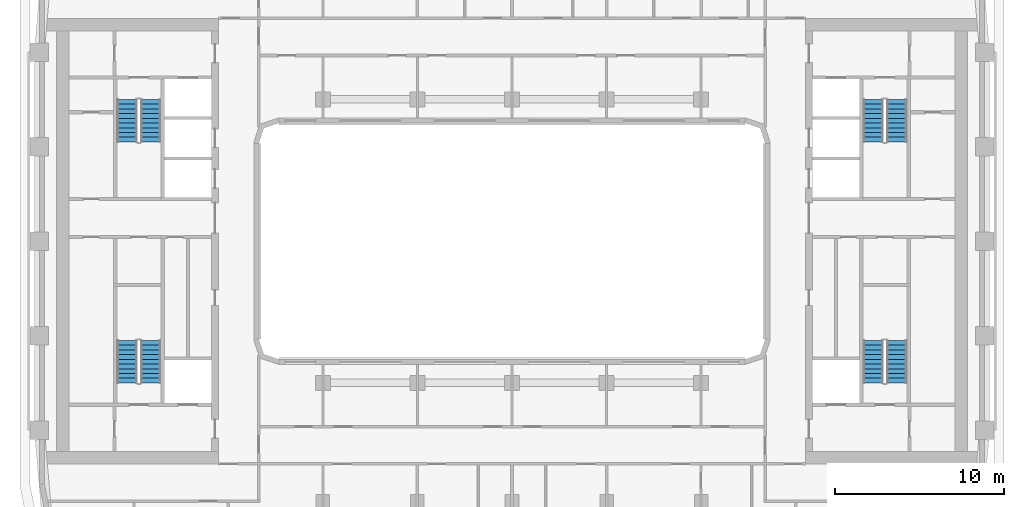
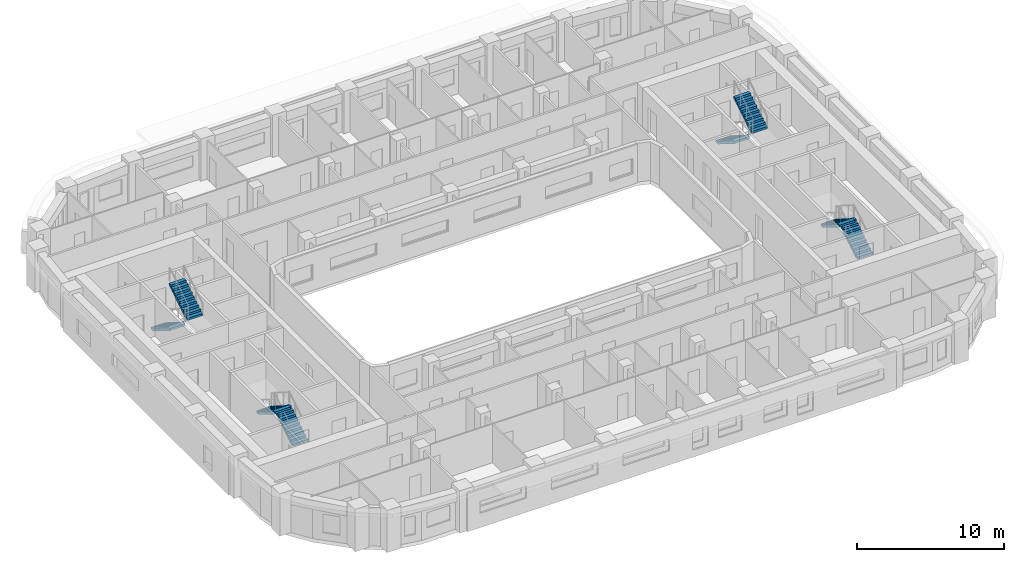
# One storey, part 10 of 22: 8 stair flights, 4 elements without a shape of their own.
"""IFC4 building model written with IfcOpenShell, lengths in metres."""

from ifc_helpers import new_model, si_unit, direction, frame, origin, place, context, subcontext, project, spatial, polyline, outline, extrude, material, type_object, element, aggregate, save


model = new_model("IFC4")

# Units and contexts
model_context = context("Model", 3, precision=1e-05, world=origin(), true_north=direction((0.0, 1.0)))
body_context = subcontext(model_context, "Body", "Model", "MODEL_VIEW")
ifc_project = project(units=[si_unit("LENGTHUNIT", "METRE"), si_unit("AREAUNIT", "SQUARE_METRE"), si_unit("VOLUMEUNIT", "CUBIC_METRE"), si_unit("PLANEANGLEUNIT", "RADIAN"), si_unit("MASSUNIT", "GRAM", prefix="KILO")], contexts=[model_context])

# Site, building, storey
site_placement = place(None, origin())
site = spatial("IfcSite", under=ifc_project, at=site_placement, CompositionType="ELEMENT")
building_placement = place(site_placement, origin())
building = spatial("IfcBuilding", under=site, at=building_placement, Name="Kiln Ring Residences", CompositionType="ELEMENT")
storey_placement = place(building_placement, frame((0.0, 0.0, 143.10009765625)))
storey = spatial("IfcBuildingStorey", under=building, at=storey_placement, Name="L36", CompositionType="ELEMENT", Elevation=143.10009765625)

# Stair, stair flights
ifc_material_1 = material(Name="Concrete C40/50", Category="concrete")
stair_type = type_object("IfcStairType", Name="CORE-STAIR", PredefinedType="HALF_TURN_STAIR", material=ifc_material_1)
placement = place(storey_placement, origin())
stair_1 = element("IfcStair", 1, at=placement, inside=storey, type_object=stair_type, Name="L36 stair W-STN", PredefinedType="HALF_TURN_STAIR")
ifc_material_2 = material(Name="Concrete C40/50", Category="concrete")
stair_flight_type = type_object("IfcStairFlightType", Name="CORE-STAIR-FLIGHT", PredefinedType="STRAIGHT", material=ifc_material_2)
stair_flight_1_placement = place(storey_placement, frame((-22.800048828125, 8.39990234375, 0.0), z_axis=(0.0, 0.0, 1.0), x_axis=(0.0, -1.0, 0.0)))
stair_flight_1 = element("IfcStairFlight", 2, at=stair_flight_1_placement, type_object=stair_flight_type, Name="W-STN flight 1", NumberOfRisers=10, NumberOfTreads=9, PredefinedType="STRAIGHT", RiserHeight=0.175, TreadLength=0.28, context=body_context, shape_type="SweptSolid", body=[
    extrude(outline(polyline([(0.0, 0.0), (0.0, 0.175048828125), (0.280029296875, 0.175048828125), (0.280029296875, 0.35009765625), (0.56005859375, 0.35009765625), (0.56005859375, 0.52490234375), (0.840087890625, 0.52490234375), (0.840087890625, 0.699951171875), (1.1201171875, 0.699951171875), (1.1201171875, 0.875), (1.39990234375, 0.875), (1.39990234375, 1.050048828125), (1.679931640625, 1.050048828125), (1.679931640625, 1.22509765625), (1.9599609375, 1.22509765625), (1.9599609375, 1.39990234375), (2.239990234375, 1.39990234375), (2.239990234375, 1.574951171875), (2.52001953125, 1.574951171875), (2.52001953125, 1.75), (2.52001953125, 1.398193359375), (0.28271484375, 0.0), (0.0, 0.0)])), frame((0.0, 0.60009765625, 0.0), z_axis=(0.0, -1.0, 0.0), x_axis=(1.0, 0.0, 0.0)), (0.0, 0.0, 1.0), 1.199951171875),
])
stair_flight_2_placement = place(storey_placement, frame((-21.39990234375, 5.8798828125, 1.75), z_axis=(0.0, 0.0, 1.0), x_axis=(0.0, 1.0, 0.0)))
stair_flight_2 = element("IfcStairFlight", 3, at=stair_flight_2_placement, type_object=stair_flight_type, Name="W-STN flight 2", NumberOfRisers=10, NumberOfTreads=9, PredefinedType="STRAIGHT", RiserHeight=0.175, TreadLength=0.28, context=body_context, shape_type="SweptSolid", body=[
    extrude(outline(polyline([(0.0, 0.0), (0.0, 0.175048828125), (0.280029296875, 0.175048828125), (0.280029296875, 0.35009765625), (0.56005859375, 0.35009765625), (0.56005859375, 0.52490234375), (0.840087890625, 0.52490234375), (0.840087890625, 0.699951171875), (1.1201171875, 0.699951171875), (1.1201171875, 0.875), (1.39990234375, 0.875), (1.39990234375, 1.050048828125), (1.679931640625, 1.050048828125), (1.679931640625, 1.22509765625), (1.9599609375, 1.22509765625), (1.9599609375, 1.39990234375), (2.239990234375, 1.39990234375), (2.239990234375, 1.574951171875), (2.52001953125, 1.574951171875), (2.52001953125, 1.75), (2.52001953125, 1.398193359375), (0.28271484375, 0.0), (0.0, 0.0)])), frame((0.0, 0.60009765625, 0.0), z_axis=(0.0, -1.0, 0.0), x_axis=(1.0, 0.0, 0.0)), (0.0, 0.0, 1.0), 1.199951171875),
])
aggregate(stair_1, [stair_flight_1, stair_flight_2])

stair_2 = element("IfcStair", 4, at=placement, inside=storey, type_object=stair_type, Name="L36 stair W-STS", PredefinedType="HALF_TURN_STAIR")
stair_flight_3_placement = place(storey_placement, frame((-21.39990234375, -8.39990234375, 0.0), z_axis=(0.0, 0.0, 1.0), x_axis=(0.0, 1.0, 0.0)))
stair_flight_3 = element("IfcStairFlight", 5, at=stair_flight_3_placement, type_object=stair_flight_type, Name="W-STS flight 1", NumberOfRisers=10, NumberOfTreads=9, PredefinedType="STRAIGHT", RiserHeight=0.175, TreadLength=0.28, context=body_context, shape_type="SweptSolid", body=[
    extrude(outline(polyline([(0.0, 0.0), (0.0, 0.175048828125), (0.280029296875, 0.175048828125), (0.280029296875, 0.35009765625), (0.56005859375, 0.35009765625), (0.56005859375, 0.52490234375), (0.840087890625, 0.52490234375), (0.840087890625, 0.699951171875), (1.1201171875, 0.699951171875), (1.1201171875, 0.875), (1.39990234375, 0.875), (1.39990234375, 1.050048828125), (1.679931640625, 1.050048828125), (1.679931640625, 1.22509765625), (1.9599609375, 1.22509765625), (1.9599609375, 1.39990234375), (2.239990234375, 1.39990234375), (2.239990234375, 1.574951171875), (2.52001953125, 1.574951171875), (2.52001953125, 1.75), (2.52001953125, 1.398193359375), (0.28271484375, 0.0), (0.0, 0.0)])), frame((0.0, 0.60009765625, 0.0), z_axis=(0.0, -1.0, 0.0), x_axis=(1.0, 0.0, 0.0)), (0.0, 0.0, 1.0), 1.199951171875),
])
stair_flight_4_placement = place(storey_placement, frame((-22.800048828125, -5.8798828125, 1.75), z_axis=(0.0, 0.0, 1.0), x_axis=(0.0, -1.0, 0.0)))
stair_flight_4 = element("IfcStairFlight", 6, at=stair_flight_4_placement, type_object=stair_flight_type, Name="W-STS flight 2", NumberOfRisers=10, NumberOfTreads=9, PredefinedType="STRAIGHT", RiserHeight=0.175, TreadLength=0.28, context=body_context, shape_type="SweptSolid", body=[
    extrude(outline(polyline([(0.0, 0.0), (0.0, 0.175048828125), (0.280029296875, 0.175048828125), (0.280029296875, 0.35009765625), (0.56005859375, 0.35009765625), (0.56005859375, 0.52490234375), (0.840087890625, 0.52490234375), (0.840087890625, 0.699951171875), (1.1201171875, 0.699951171875), (1.1201171875, 0.875), (1.39990234375, 0.875), (1.39990234375, 1.050048828125), (1.679931640625, 1.050048828125), (1.679931640625, 1.22509765625), (1.9599609375, 1.22509765625), (1.9599609375, 1.39990234375), (2.239990234375, 1.39990234375), (2.239990234375, 1.574951171875), (2.52001953125, 1.574951171875), (2.52001953125, 1.75), (2.52001953125, 1.398193359375), (0.28271484375, 0.0), (0.0, 0.0)])), frame((0.0, 0.60009765625, 0.0), z_axis=(0.0, -1.0, 0.0), x_axis=(1.0, 0.0, 0.0)), (0.0, 0.0, 1.0), 1.199951171875),
])
aggregate(stair_2, [stair_flight_3, stair_flight_4])

stair_3 = element("IfcStair", 7, at=placement, inside=storey, type_object=stair_type, Name="L36 stair E-STN", PredefinedType="HALF_TURN_STAIR")
stair_flight_5_placement = place(storey_placement, frame((21.39990234375, 8.39990234375, 0.0), z_axis=(0.0, 0.0, 1.0), x_axis=(0.0, -1.0, 0.0)))
stair_flight_5 = element("IfcStairFlight", 8, at=stair_flight_5_placement, type_object=stair_flight_type, Name="E-STN flight 1", NumberOfRisers=10, NumberOfTreads=9, PredefinedType="STRAIGHT", RiserHeight=0.175, TreadLength=0.28, context=body_context, shape_type="SweptSolid", body=[
    extrude(outline(polyline([(0.0, 0.0), (0.0, 0.175048828125), (0.280029296875, 0.175048828125), (0.280029296875, 0.35009765625), (0.56005859375, 0.35009765625), (0.56005859375, 0.52490234375), (0.840087890625, 0.52490234375), (0.840087890625, 0.699951171875), (1.1201171875, 0.699951171875), (1.1201171875, 0.875), (1.39990234375, 0.875), (1.39990234375, 1.050048828125), (1.679931640625, 1.050048828125), (1.679931640625, 1.22509765625), (1.9599609375, 1.22509765625), (1.9599609375, 1.39990234375), (2.239990234375, 1.39990234375), (2.239990234375, 1.574951171875), (2.52001953125, 1.574951171875), (2.52001953125, 1.75), (2.52001953125, 1.398193359375), (0.28271484375, 0.0), (0.0, 0.0)])), frame((0.0, 0.60009765625, 0.0), z_axis=(0.0, -1.0, 0.0), x_axis=(1.0, 0.0, 0.0)), (0.0, 0.0, 1.0), 1.199951171875),
])
stair_flight_6_placement = place(storey_placement, frame((22.800048828125, 5.8798828125, 1.75), z_axis=(0.0, 0.0, 1.0), x_axis=(0.0, 1.0, 0.0)))
stair_flight_6 = element("IfcStairFlight", 9, at=stair_flight_6_placement, type_object=stair_flight_type, Name="E-STN flight 2", NumberOfRisers=10, NumberOfTreads=9, PredefinedType="STRAIGHT", RiserHeight=0.175, TreadLength=0.28, context=body_context, shape_type="SweptSolid", body=[
    extrude(outline(polyline([(0.0, 0.0), (0.0, 0.175048828125), (0.280029296875, 0.175048828125), (0.280029296875, 0.35009765625), (0.56005859375, 0.35009765625), (0.56005859375, 0.52490234375), (0.840087890625, 0.52490234375), (0.840087890625, 0.699951171875), (1.1201171875, 0.699951171875), (1.1201171875, 0.875), (1.39990234375, 0.875), (1.39990234375, 1.050048828125), (1.679931640625, 1.050048828125), (1.679931640625, 1.22509765625), (1.9599609375, 1.22509765625), (1.9599609375, 1.39990234375), (2.239990234375, 1.39990234375), (2.239990234375, 1.574951171875), (2.52001953125, 1.574951171875), (2.52001953125, 1.75), (2.52001953125, 1.398193359375), (0.28271484375, 0.0), (0.0, 0.0)])), frame((0.0, 0.60009765625, 0.0), z_axis=(0.0, -1.0, 0.0), x_axis=(1.0, 0.0, 0.0)), (0.0, 0.0, 1.0), 1.199951171875),
])
aggregate(stair_3, [stair_flight_5, stair_flight_6])

stair_4 = element("IfcStair", 10, at=placement, inside=storey, type_object=stair_type, Name="L36 stair E-STS", PredefinedType="HALF_TURN_STAIR")
stair_flight_7_placement = place(storey_placement, frame((22.800048828125, -8.39990234375, 0.0), z_axis=(0.0, 0.0, 1.0), x_axis=(0.0, 1.0, 0.0)))
stair_flight_7 = element("IfcStairFlight", 11, at=stair_flight_7_placement, type_object=stair_flight_type, Name="E-STS flight 1", NumberOfRisers=10, NumberOfTreads=9, PredefinedType="STRAIGHT", RiserHeight=0.175, TreadLength=0.28, context=body_context, shape_type="SweptSolid", body=[
    extrude(outline(polyline([(0.0, 0.0), (0.0, 0.175048828125), (0.280029296875, 0.175048828125), (0.280029296875, 0.35009765625), (0.56005859375, 0.35009765625), (0.56005859375, 0.52490234375), (0.840087890625, 0.52490234375), (0.840087890625, 0.699951171875), (1.1201171875, 0.699951171875), (1.1201171875, 0.875), (1.39990234375, 0.875), (1.39990234375, 1.050048828125), (1.679931640625, 1.050048828125), (1.679931640625, 1.22509765625), (1.9599609375, 1.22509765625), (1.9599609375, 1.39990234375), (2.239990234375, 1.39990234375), (2.239990234375, 1.574951171875), (2.52001953125, 1.574951171875), (2.52001953125, 1.75), (2.52001953125, 1.398193359375), (0.28271484375, 0.0), (0.0, 0.0)])), frame((0.0, 0.60009765625, 0.0), z_axis=(0.0, -1.0, 0.0), x_axis=(1.0, 0.0, 0.0)), (0.0, 0.0, 1.0), 1.199951171875),
])
stair_flight_8_placement = place(storey_placement, frame((21.39990234375, -5.8798828125, 1.75), z_axis=(0.0, 0.0, 1.0), x_axis=(0.0, -1.0, 0.0)))
stair_flight_8 = element("IfcStairFlight", 12, at=stair_flight_8_placement, type_object=stair_flight_type, Name="E-STS flight 2", NumberOfRisers=10, NumberOfTreads=9, PredefinedType="STRAIGHT", RiserHeight=0.175, TreadLength=0.28, context=body_context, shape_type="SweptSolid", body=[
    extrude(outline(polyline([(0.0, 0.0), (0.0, 0.175048828125), (0.280029296875, 0.175048828125), (0.280029296875, 0.35009765625), (0.56005859375, 0.35009765625), (0.56005859375, 0.52490234375), (0.840087890625, 0.52490234375), (0.840087890625, 0.699951171875), (1.1201171875, 0.699951171875), (1.1201171875, 0.875), (1.39990234375, 0.875), (1.39990234375, 1.050048828125), (1.679931640625, 1.050048828125), (1.679931640625, 1.22509765625), (1.9599609375, 1.22509765625), (1.9599609375, 1.39990234375), (2.239990234375, 1.39990234375), (2.239990234375, 1.574951171875), (2.52001953125, 1.574951171875), (2.52001953125, 1.75), (2.52001953125, 1.398193359375), (0.28271484375, 0.0), (0.0, 0.0)])), frame((0.0, 0.60009765625, 0.0), z_axis=(0.0, -1.0, 0.0), x_axis=(1.0, 0.0, 0.0)), (0.0, 0.0, 1.0), 1.199951171875),
])
aggregate(stair_4, [stair_flight_7, stair_flight_8])

save(model, "model.ifc")
